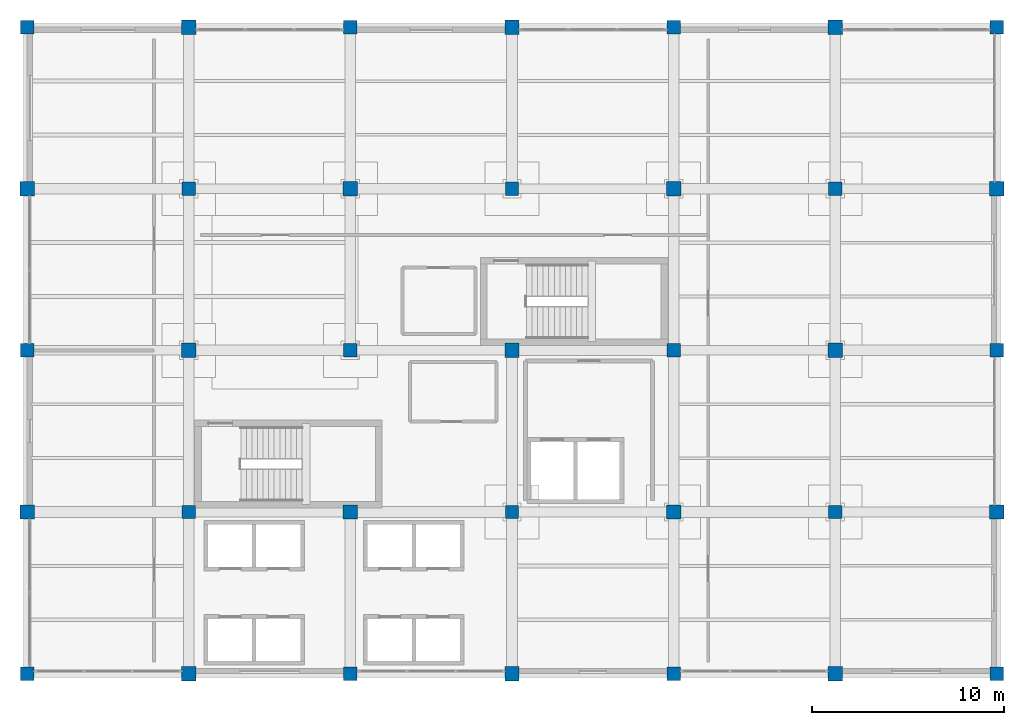
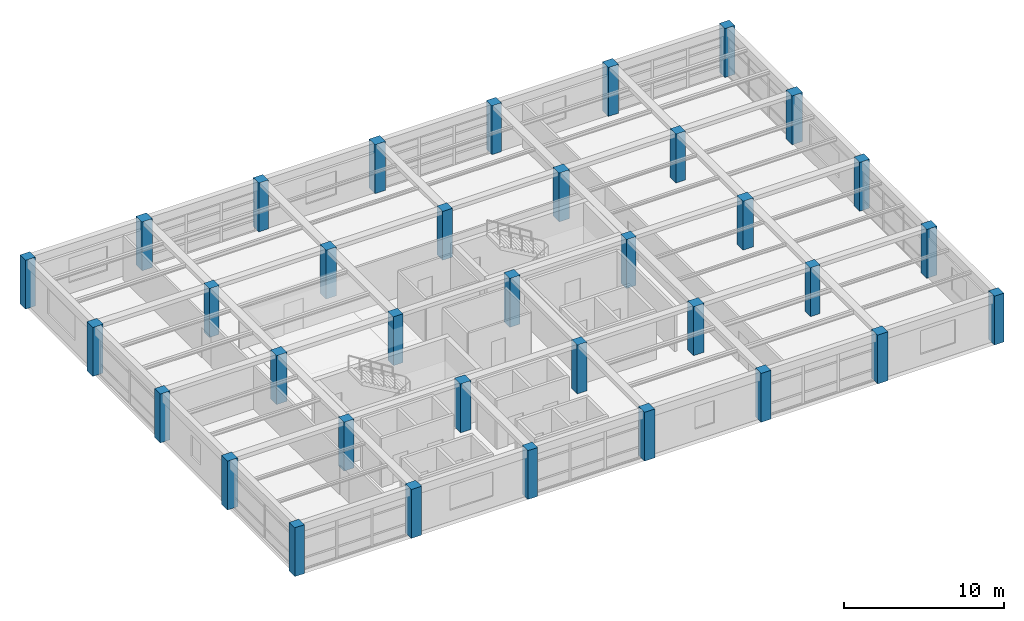
# One storey, part 1 of 26: 35 columns.
"""IFC4 building model written with IfcOpenShell, lengths in metres."""

import ifcopenshell
import ifcopenshell.guid

model = None  # the IFC model being written
_history = None  # IfcOwnerHistory: only IFC2X3 demands one
_inside = {}  # id of a spatial element -> (the spatial element, [elements in it])
_under = {}  # id of a project, library or spatial element -> (it, [spatial elements below it])
_declared = {}  # id of a project -> (the project, [libraries it declares])
_typed = {}  # id of a type object -> (the type object, [elements of that type])
_made_of = {}  # id of a material, layer set ... -> (it, [elements and type objects made of it])


def new_model(schema):
    """Start an empty IFC model of exactly this schema.

    Asked for "IFC4X3", IfcOpenShell would pick the latest addendum, in which some entities
    have other attributes; the version numbers below select the first issue.
    IFC2X3 requires an IfcOwnerHistory on every rooted entity: one is made here for all.
    """
    global model, _history
    if schema == "IFC4X3":
        model = ifcopenshell.file(schema_version=(4, 3, 0, 0))
    else:
        model = ifcopenshell.file(schema=schema)
    _inside.clear()
    _under.clear()
    _declared.clear()
    _typed.clear()
    _made_of.clear()
    _history = None
    if model.schema == "IFC2X3":
        org = make("IfcOrganization", Name="unknown")
        user = make(
            "IfcPersonAndOrganization",
            ThePerson=make("IfcPerson", FamilyName="unknown"),
            TheOrganization=org,
        )
        app = make(
            "IfcApplication",
            ApplicationDeveloper=org,
            Version="unknown",
            ApplicationFullName="unknown",
            ApplicationIdentifier="unknown",
        )
        _history = make(
            "IfcOwnerHistory",
            OwningUser=user,
            OwningApplication=app,
            ChangeAction="ADDED",
            CreationDate=0,
        )
    return model


def make(cls, **values):
    """One entity of the class cls with the attributes given. An attribute that is None is left unset."""
    return model.create_entity(
        cls, **{name: value for name, value in values.items() if value is not None}
    )


def rooted(cls, **values):
    """An entity with a GlobalId (a new one), such as an element, a storey or a relation."""
    return make(cls, GlobalId=ifcopenshell.guid.new(), OwnerHistory=_history, **values)


def si_unit(unit_type, name, prefix=None):
    """IfcSIUnit, for example si_unit("LENGTHUNIT", "METRE", prefix="MILLI")."""
    return make("IfcSIUnit", UnitType=unit_type, Prefix=prefix, Name=name)


def assignment(units):
    """IfcUnitAssignment: the units of a project."""
    return None if units is None else make("IfcUnitAssignment", Units=units)


def point(xyz):
    """IfcCartesianPoint."""
    return None if xyz is None else make("IfcCartesianPoint", Coordinates=xyz)


def direction(xyz):
    """IfcDirection."""
    return None if xyz is None else make("IfcDirection", DirectionRatios=xyz)


def frame(location, z_axis=None, x_axis=None):
    """IfcAxis2Placement3D, a coordinate frame: its origin and axes. An axis left out is left unset."""
    return make(
        "IfcAxis2Placement3D",
        Location=point(location),
        Axis=direction(z_axis),
        RefDirection=direction(x_axis),
    )


def frame_2d(location, x_axis=None):
    """IfcAxis2Placement2D, a coordinate frame in the plane: its origin and x axis."""
    return make(
        "IfcAxis2Placement2D", Location=point(location), RefDirection=direction(x_axis)
    )


def origin():
    """The frame at (0, 0, 0) with its axes left unset."""
    return frame((0.0, 0.0, 0.0))


def origin_2d():
    """The frame at (0, 0) in the plane with its x axis left unset."""
    return frame_2d((0.0, 0.0))


def place(relative_to, where):
    """IfcLocalPlacement: puts the frame where relative to a parent placement (None: the world)."""
    return make(
        "IfcLocalPlacement", PlacementRelTo=relative_to, RelativePlacement=where
    )


def context(
    kind, dimensions, precision=None, world=None, true_north=None, identifier=None
):
    """IfcGeometricRepresentationContext, for example the 3D "Model" context."""
    return make(
        "IfcGeometricRepresentationContext",
        ContextIdentifier=identifier,
        ContextType=kind,
        CoordinateSpaceDimension=dimensions,
        Precision=precision,
        WorldCoordinateSystem=world,
        TrueNorth=true_north,
    )


def subcontext(parent, identifier, kind, view, scale=None):
    """IfcGeometricRepresentationSubContext, for example "Body" below "Model"."""
    return make(
        "IfcGeometricRepresentationSubContext",
        ContextIdentifier=identifier,
        ContextType=kind,
        ParentContext=parent,
        TargetScale=scale,
        TargetView=view,
    )


def project(units=None, contexts=None):
    """IfcProject with its units and contexts."""
    return rooted(
        "IfcProject",
        Name="project",
        RepresentationContexts=contexts,
        UnitsInContext=assignment(units),
    )


def spatial(cls, under=None, at=None, **own):
    """A site, building, storey or space (cls), placed at a placement, below another one or the project."""
    s = rooted(cls, ObjectPlacement=at, **own)
    if under is not None:
        _under.setdefault(under.id(), (under, []))[1].append(s)
    return s


def profile(cls, at=None, kind="AREA", **sizes):
    """A parametric profile (cls). Its sizes go by their IFC names, for example OverallWidth=200.0."""
    return make(cls, ProfileType=kind, Position=at, **sizes)


def rectangle(**sizes):
    """IfcRectangleProfileDef."""
    return profile("IfcRectangleProfileDef", **sizes)


def extrude(swept, where, along, depth):
    """IfcExtrudedAreaSolid: the profile swept, set in the frame where, extruded along a direction by depth."""
    return make(
        "IfcExtrudedAreaSolid",
        SweptArea=swept,
        Position=where,
        ExtrudedDirection=direction(along),
        Depth=depth,
    )


def shape(context_of_items, identifier, shape_type, items):
    """IfcShapeRepresentation: the items that make up one representation, for example the "Body"."""
    return make(
        "IfcShapeRepresentation",
        ContextOfItems=context_of_items,
        RepresentationIdentifier=identifier,
        RepresentationType=shape_type,
        Items=items,
    )


def material(Name=None, Category=None):
    """IfcMaterial."""
    return make("IfcMaterial", Name=Name, Category=Category)


def material_profile(
    of_material, cross_section, Name=None, Category=None, Priority=None
):
    """IfcMaterialProfile: a cross section and its material."""
    return make(
        "IfcMaterialProfile",
        Name=Name,
        Material=of_material,
        Profile=cross_section,
        Priority=Priority,
        Category=Category,
    )


def profile_set(profiles, Name=None, composite=None):
    """IfcMaterialProfileSet."""
    return make(
        "IfcMaterialProfileSet",
        Name=Name,
        MaterialProfiles=profiles,
        CompositeProfile=composite,
    )


def made_of(thing, what):
    """Note that an element or type object is made of a material, layer set ...; save() writes the relation."""
    if what is not None:
        _made_of.setdefault(what.id(), (what, []))[1].append(thing)
    return thing


def type_object(cls, material=None, **own):
    """A type object (cls), such as IfcWallType, which elements share."""
    return made_of(rooted(cls, **own), material)


def element(
    cls,
    number,
    at=None,
    inside=None,
    cuts=None,
    type_object=None,
    material=None,
    context=None,
    identifier="Body",
    shape_type=None,
    held_by="IfcProductDefinitionShape",
    body=None,
    shapes=None,
    **own,
):
    """One element of the class cls, such as IfcWall. Its Tag is "e" and its number.

    at: its placement. inside: the storey or other place that contains it. cuts: it is an
    opening in that element (IfcRelVoidsElement). A single representation is given by context,
    identifier, shape_type and body (its items); several are given by shapes. held_by: the class
    of the entity that holds the representations. save() writes the other relations.
    """
    e = rooted(cls, Tag="e%d" % number, ObjectPlacement=at, **own)
    if body is not None:
        shapes = [shape(context, identifier, shape_type, body)]
    if shapes is not None:
        e.Representation = make(held_by, Representations=shapes)
    if inside is not None:
        _inside.setdefault(inside.id(), (inside, []))[1].append(e)
    if cuts is not None:
        rooted(
            "IfcRelVoidsElement", RelatingBuildingElement=cuts, RelatedOpeningElement=e
        )
    if type_object is not None:
        _typed.setdefault(type_object.id(), (type_object, []))[1].append(e)
    return made_of(e, material)


def aggregate(whole, parts):
    """IfcRelAggregates: a whole, such as a stair, and the parts it consists of."""
    return rooted("IfcRelAggregates", RelatingObject=whole, RelatedObjects=parts)


def save(model, path):
    """Write the relations noted so far, then the file.

    IfcRelAggregates (storeys below a building ...), IfcRelContainedInSpatialStructure (elements
    in a storey), IfcRelDefinesByType, IfcRelAssociatesMaterial and IfcRelDeclares: one each for
    every whole, place, type object, material and project.
    """
    for whole, parts in _under.values():
        aggregate(whole, parts)
    for where, things in _inside.values():
        rooted(
            "IfcRelContainedInSpatialStructure",
            RelatedElements=things,
            RelatingStructure=where,
        )
    for kind, things in _typed.values():
        rooted("IfcRelDefinesByType", RelatedObjects=things, RelatingType=kind)
    for what, things in _made_of.values():
        rooted("IfcRelAssociatesMaterial", RelatedObjects=things, RelatingMaterial=what)
    for by, libraries in _declared.values():
        rooted("IfcRelDeclares", RelatingContext=by, RelatedDefinitions=libraries)
    model.write(path)


model = new_model("IFC4")

# Units and contexts
model_context = context("Model", 3, precision=1e-05, world=origin(), true_north=direction((0.0, 1.0)))
body_context = subcontext(model_context, "Body", "Model", "MODEL_VIEW")
ifc_project = project(units=[si_unit("LENGTHUNIT", "METRE"), si_unit("AREAUNIT", "SQUARE_METRE"), si_unit("VOLUMEUNIT", "CUBIC_METRE"), si_unit("PLANEANGLEUNIT", "RADIAN"), si_unit("MASSUNIT", "GRAM", prefix="KILO")], contexts=[model_context])

# Site, building, storey
site_placement = place(None, origin())
site = spatial("IfcSite", under=ifc_project, at=site_placement, CompositionType="ELEMENT")
building_placement = place(site_placement, origin())
building = spatial("IfcBuilding", under=site, at=building_placement, Name="Almacenes y Pasaje Nevantli", CompositionType="ELEMENT")
storey_placement = place(building_placement, frame((0.0, 0.0, 38.699951171875)))
storey = spatial("IfcBuildingStorey", under=building, at=storey_placement, Name="L09", CompositionType="ELEMENT", Elevation=38.699951171875)

# Columns
ifc_material_1 = material(Name="Concrete C45/55", Category="concrete")
ifc_material_profile_1 = material_profile(ifc_material_1, rectangle(XDim=0.699951171875, YDim=0.699951171875, at=origin_2d()), Name="RC-COL-700x700")
ifc_profile_set_1 = profile_set([ifc_material_profile_1], Name="Concrete C45/55")
column_type_1 = type_object("IfcColumnType", Name="COL-RC-700", PredefinedType="COLUMN", material=ifc_profile_set_1)
for number, where, z_axis, x_axis, name in (
    (1, (109.199951171875, 67.199951171875, 0.0), (0.0, 0.0, 1.0), (1.0, 0.0, 0.0), "L09 Reinforced Concrete Column CL-06 #2176"),
    (2, (109.199951171875, 84.0, 0.0), (0.0, 0.0, 1.0), (1.0, 0.0, 0.0), "L09 Reinforced Concrete Column CL-06 #2178"),
    (3, (109.199951171875, 100.800048828125, 0.0), (0.0, 0.0, 1.0), (1.0, 0.0, 0.0), "L09 Reinforced Concrete Column CL-06 #2180"),
    (4, (117.60009765625, 75.60009765625, 0.0), (0.0, 0.0, 1.0), (1.0, 0.0, 0.0), "L09 Reinforced Concrete Column CL-06 #2182"),
    (5, (117.60009765625, 92.39990234375, 0.0), (0.0, 0.0, 1.0), (1.0, 0.0, 0.0), "L09 Reinforced Concrete Column CL-06 #2184"),
    (6, (126.0, 67.199951171875, 0.0), (0.0, 0.0, 1.0), (1.0, 0.0, 0.0), "L09 Reinforced Concrete Column CL-06 #2186"),
    (7, (126.0, 84.0, 0.0), (0.0, 0.0, 1.0), (1.0, 0.0, 0.0), "L09 Reinforced Concrete Column CL-06 #2188"),
    (8, (126.0, 100.800048828125, 0.0), (0.0, 0.0, 1.0), (1.0, 0.0, 0.0), "L09 Reinforced Concrete Column CL-06 #2190"),
    (9, (134.39990234375, 75.60009765625, 0.0), (0.0, 0.0, 1.0), (1.0, 0.0, 0.0), "L09 Reinforced Concrete Column CL-06 #2192"),
    (10, (134.39990234375, 92.39990234375, 0.0), (0.0, 0.0, 1.0), (1.0, 0.0, 0.0), "L09 Reinforced Concrete Column CL-06 #2194"),
    (11, (142.800048828125, 67.199951171875, 0.0), (0.0, 0.0, 1.0), (1.0, 0.0, 0.0), "L09 Reinforced Concrete Column CL-06 #2196"),
    (12, (142.800048828125, 84.0, 0.0), (0.0, 0.0, 1.0), (1.0, 0.0, 0.0), "L09 Reinforced Concrete Column CL-06 #2198"),
    (13, (142.800048828125, 100.800048828125, 0.0), (0.0, 0.0, 1.0), (1.0, 0.0, 0.0), "L09 Reinforced Concrete Column CL-06 #2200"),
    (14, (151.199951171875, 75.60009765625, 0.0), (0.0, 0.0, 1.0), (1.0, 0.0, 0.0), "L09 Reinforced Concrete Column CL-06 #2202"),
    (15, (151.199951171875, 92.39990234375, 0.0), (0.0, 0.0, 1.0), (1.0, 0.0, 0.0), "L09 Reinforced Concrete Column CL-06 #2204"),
    (16, (159.60009765625, 67.199951171875, 0.0), (0.0, 0.0, 1.0), (1.0, 0.0, 0.0), "L09 Reinforced Concrete Column CL-06 #2206"),
    (17, (159.60009765625, 84.0, 0.0), (0.0, 0.0, 1.0), (1.0, 0.0, 0.0), "L09 Reinforced Concrete Column CL-06 #2208"),
    (18, (159.60009765625, 100.800048828125, 0.0), (0.0, 0.0, 1.0), (1.0, 0.0, 0.0), "L09 Reinforced Concrete Column CL-06 #2210"),
):
    element("IfcColumn", number, at=place(storey_placement, frame(where, z_axis=z_axis, x_axis=x_axis)), inside=storey, type_object=column_type_1, Name=name, PredefinedType="COLUMN", context=body_context, shape_type="SweptSolid", body=[
        extrude(rectangle(XDim=0.699951171875, YDim=0.699951171875, at=origin_2d()), origin(), (0.0, 0.0, 1.0), 3.719970703125),
    ])
ifc_material_2 = material(Name="Concrete C45/55", Category="concrete")
ifc_material_profile_2 = material_profile(ifc_material_2, rectangle(XDim=0.75, YDim=0.75, at=origin_2d()), Name="RC-COL-750x750")
ifc_profile_set_2 = profile_set([ifc_material_profile_2], Name="Concrete C45/55")
column_type_2 = type_object("IfcColumnType", Name="COL-RC-750", PredefinedType="COLUMN", material=ifc_profile_set_2)
for number, where, z_axis, x_axis, name in (
    (19, (109.199951171875, 75.60009765625, 0.0), (0.0, 0.0, 1.0), (1.0, 0.0, 0.0), "L09 Reinforced Concrete Column CL-05 #2177"),
    (20, (109.199951171875, 92.39990234375, 0.0), (0.0, 0.0, 1.0), (1.0, 0.0, 0.0), "L09 Reinforced Concrete Column CL-05 #2179"),
    (21, (117.60009765625, 67.199951171875, 0.0), (0.0, 0.0, 1.0), (1.0, 0.0, 0.0), "L09 Reinforced Concrete Column CL-05 #2181"),
    (22, (117.60009765625, 84.0, 0.0), (0.0, 0.0, 1.0), (1.0, 0.0, 0.0), "L09 Reinforced Concrete Column CL-05 #2183"),
    (23, (117.60009765625, 100.800048828125, 0.0), (0.0, 0.0, 1.0), (1.0, 0.0, 0.0), "L09 Reinforced Concrete Column CL-05 #2185"),
    (24, (126.0, 75.60009765625, 0.0), (0.0, 0.0, 1.0), (1.0, 0.0, 0.0), "L09 Reinforced Concrete Column CL-05 #2187"),
    (25, (126.0, 92.39990234375, 0.0), (0.0, 0.0, 1.0), (1.0, 0.0, 0.0), "L09 Reinforced Concrete Column CL-05 #2189"),
    (26, (134.39990234375, 67.199951171875, 0.0), (0.0, 0.0, 1.0), (1.0, 0.0, 0.0), "L09 Reinforced Concrete Column CL-05 #2191"),
    (27, (134.39990234375, 84.0, 0.0), (0.0, 0.0, 1.0), (1.0, 0.0, 0.0), "L09 Reinforced Concrete Column CL-05 #2193"),
    (28, (134.39990234375, 100.800048828125, 0.0), (0.0, 0.0, 1.0), (1.0, 0.0, 0.0), "L09 Reinforced Concrete Column CL-05 #2195"),
    (29, (142.800048828125, 75.60009765625, 0.0), (0.0, 0.0, 1.0), (1.0, 0.0, 0.0), "L09 Reinforced Concrete Column CL-05 #2197"),
    (30, (142.800048828125, 92.39990234375, 0.0), (0.0, 0.0, 1.0), (1.0, 0.0, 0.0), "L09 Reinforced Concrete Column CL-05 #2199"),
    (31, (151.199951171875, 67.199951171875, 0.0), (0.0, 0.0, 1.0), (1.0, 0.0, 0.0), "L09 Reinforced Concrete Column CL-05 #2201"),
    (32, (151.199951171875, 84.0, 0.0), (0.0, 0.0, 1.0), (1.0, 0.0, 0.0), "L09 Reinforced Concrete Column CL-05 #2203"),
    (33, (151.199951171875, 100.800048828125, 0.0), (0.0, 0.0, 1.0), (1.0, 0.0, 0.0), "L09 Reinforced Concrete Column CL-05 #2205"),
    (34, (159.60009765625, 75.60009765625, 0.0), (0.0, 0.0, 1.0), (1.0, 0.0, 0.0), "L09 Reinforced Concrete Column CL-05 #2207"),
    (35, (159.60009765625, 92.39990234375, 0.0), (0.0, 0.0, 1.0), (1.0, 0.0, 0.0), "L09 Reinforced Concrete Column CL-05 #2209"),
):
    element("IfcColumn", number, at=place(storey_placement, frame(where, z_axis=z_axis, x_axis=x_axis)), inside=storey, type_object=column_type_2, Name=name, PredefinedType="COLUMN", context=body_context, shape_type="SweptSolid", body=[
        extrude(rectangle(XDim=0.75, YDim=0.75, at=origin_2d()), origin(), (0.0, 0.0, 1.0), 3.719970703125),
    ])

save(model, "model.ifc")
